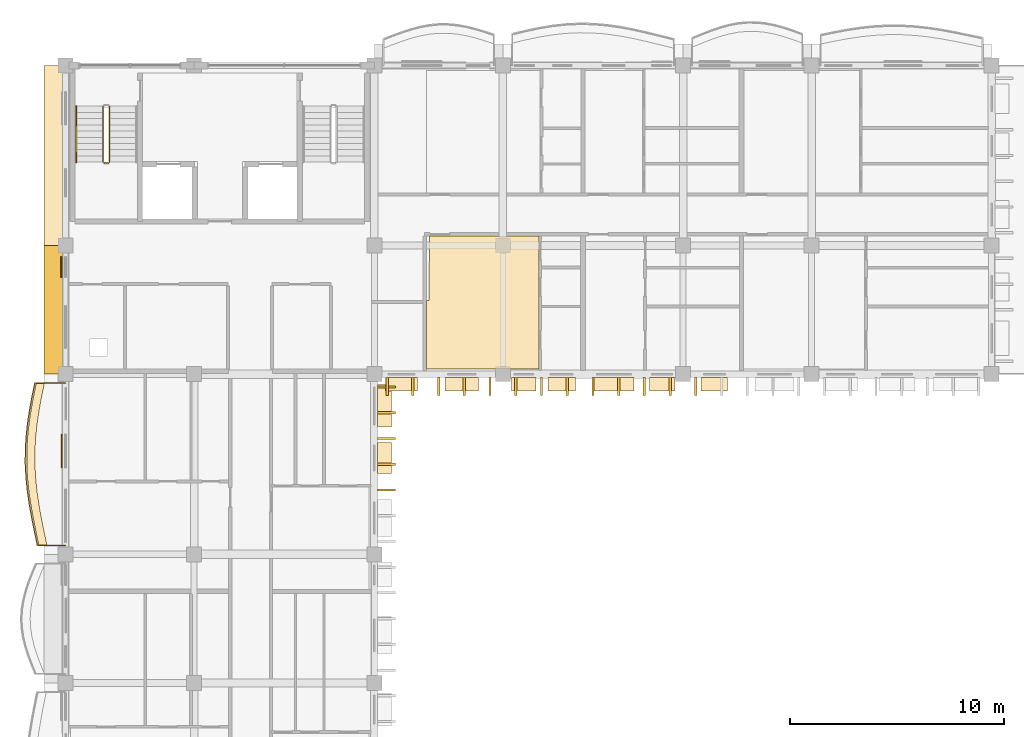
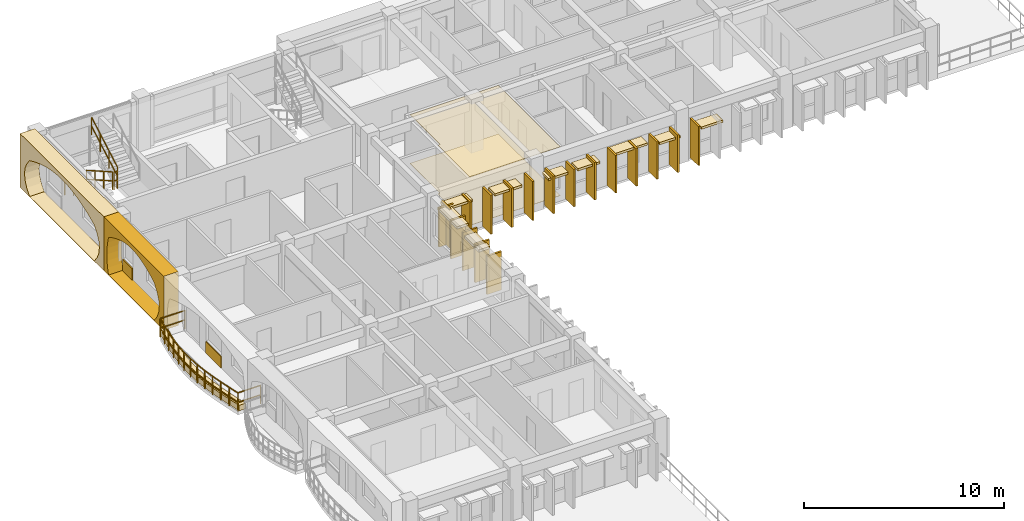
# One storey, part 48 of 66: 34 coverings, 5 railings.
"""IFC4 building model written with IfcOpenShell, lengths in metres."""

from ifc_helpers import new_model, si_unit, direction, frame, origin, origin_2d, place, context, subcontext, project, spatial, polyline, rectangle, outline, extrude, material, layer, layer_set, type_object, element, save


model = new_model("IFC4")

# Units and contexts
model_context = context("Model", 3, precision=1e-05, world=origin(), true_north=direction((0.0, 1.0)))
body_context = subcontext(model_context, "Body", "Model", "MODEL_VIEW")
ifc_project = project(units=[si_unit("LENGTHUNIT", "METRE"), si_unit("AREAUNIT", "SQUARE_METRE"), si_unit("VOLUMEUNIT", "CUBIC_METRE"), si_unit("PLANEANGLEUNIT", "RADIAN"), si_unit("MASSUNIT", "GRAM", prefix="KILO"), si_unit("THERMODYNAMICTEMPERATUREUNIT", "KELVIN")], contexts=[model_context])

# Site, building, storey
site_placement = place(None, origin())
site = spatial("IfcSite", under=ifc_project, at=site_placement, CompositionType="ELEMENT")
building_placement = place(site_placement, origin())
building = spatial("IfcBuilding", under=site, at=building_placement, Name="Thalorik Housing Commons", CompositionType="ELEMENT")
storey_placement = place(building_placement, frame((0.0, 0.0, 21.300048828125)))
storey = spatial("IfcBuildingStorey", under=building, at=storey_placement, Name="L06", CompositionType="ELEMENT", Elevation=21.300048828125)

# Coverings
ifc_material_1 = material(Name="Precast concrete C40/50", Category="concrete")
ifc_layer_1 = layer(ifc_material_1, 0.85009765625, Name="Precast concrete C40/50", Category="concrete")
ifc_layer_set_1 = layer_set([ifc_layer_1], Name="Precast concrete C40/50")
covering_type_1 = type_object("IfcCoveringType", Name="ARC-CLD-CUSH-850", PredefinedType="CLADDING", material=ifc_layer_set_1)
covering_1_placement = place(storey_placement, frame((7.830078125, 119.39990234375, 0.0), z_axis=(0.0, 0.0, 1.0), x_axis=(0.0, -1.0, 0.0)))
element("IfcCovering", 1, at=covering_1_placement, inside=storey, type_object=covering_type_1, Name="L06 White Precast Curved Cushion Bay Frame 677", PredefinedType="CLADDING", context=body_context, shape_type="SweptSolid", body=[
    extrude(outline(polyline([(-4.199951171875, 0.0), (4.199951171875, 0.0), (4.199951171875, 3.300048828125), (-4.199951171875, 3.300048828125), (-4.199951171875, 0.0)]), holes=[polyline([(3.239990234375, 0.02490234375), (3.523193359375, 0.390869140625), (3.693359375, 0.756591796875), (3.75, 1.12255859375), (3.693359375, 1.48828125), (3.523193359375, 1.854248046875), (3.239990234375, 2.219970703125), (2.699951171875, 2.469482421875), (2.159912109375, 2.66552734375), (1.6201171875, 2.824462890625), (1.080078125, 2.9423828125), (0.5400390625, 3.015380859375), (0.0, 3.0400390625), (-0.5400390625, 3.015380859375), (-1.080078125, 2.9423828125), (-1.6201171875, 2.824462890625), (-2.159912109375, 2.66552734375), (-2.699951171875, 2.469482421875), (-3.239990234375, 2.219970703125), (-3.523193359375, 1.854248046875), (-3.693359375, 1.48828125), (-3.75, 1.12255859375), (-3.693359375, 0.756591796875), (-3.523193359375, 0.390869140625), (-3.239990234375, 0.02490234375), (3.239990234375, 0.02490234375)])]), frame((0.0, 0.425048828125, 0.0), z_axis=(0.0, -1.0, 0.0), x_axis=(1.0, 0.0, 0.0)), (0.0, 0.0, 1.0), 0.85009765625),
])
covering_2_placement = place(storey_placement, frame((7.830078125, 112.199951171875, 0.0), z_axis=(0.0, 0.0, 1.0), x_axis=(0.0, -1.0, 0.0)))
element("IfcCovering", 2, at=covering_2_placement, inside=storey, type_object=covering_type_1, Name="L06 White Precast Curved Cushion Bay Frame 679", PredefinedType="CLADDING", context=body_context, shape_type="SweptSolid", body=[
    extrude(outline(polyline([(-3.0, 0.0), (3.0, 0.0), (3.0, 3.300048828125), (-3.0, 3.300048828125), (-3.0, 0.0)]), holes=[polyline([(2.0400390625, 0.02490234375), (2.3232421875, 0.407470703125), (2.493408203125, 0.7900390625), (2.550048828125, 1.172607421875), (2.493408203125, 1.554931640625), (2.3232421875, 1.9375), (2.0400390625, 2.320068359375), (1.6591796875, 2.539306640625), (1.2783203125, 2.711181640625), (0.8974609375, 2.8505859375), (0.5166015625, 2.954345703125), (0.1357421875, 3.018310546875), (-0.2451171875, 3.0400390625), (-0.625732421875, 3.018310546875), (-1.006591796875, 2.954345703125), (-1.387451171875, 2.8505859375), (-1.768310546875, 2.711181640625), (-2.149169921875, 2.539306640625), (-2.530029296875, 2.320068359375), (-2.629150390625, 1.9375), (-2.688720703125, 1.554931640625), (-2.70849609375, 1.172607421875), (-2.688720703125, 0.7900390625), (-2.629150390625, 0.407470703125), (-2.530029296875, 0.02490234375), (2.0400390625, 0.02490234375)])]), frame((0.0, 0.425048828125, 0.0), z_axis=(0.0, -1.0, 0.0), x_axis=(1.0, 0.0, 0.0)), (0.0, 0.0, 1.0), 0.85009765625),
])
ifc_layer_2 = layer(ifc_material_1, 0.85009765625, Name="Precast concrete C40/50", Category="concrete")
ifc_layer_set_2 = layer_set([ifc_layer_2], Name="Precast concrete C40/50")
covering_type_2 = type_object("IfcCoveringType", Name="ARC-CLD-FIN-850", PredefinedType="CLADDING", material=ifc_layer_set_2)
for number, where, z_axis, x_axis, name in (
    (3, (23.39990234375, 108.6298828125, 0.0400390625), (0.0, 0.0, 1.0), (1.0, 0.0, 0.0), "L06 Courtyard Precast Vertical Brise-Soleil Fin 619"),
    (4, (24.60009765625, 108.6298828125, 0.0400390625), (0.0, 0.0, 1.0), (1.0, 0.0, 0.0), "L06 Courtyard Precast Vertical Brise-Soleil Fin 620"),
    (5, (25.800048828125, 108.6298828125, 0.0400390625), (0.0, 0.0, 1.0), (1.0, 0.0, 0.0), "L06 Courtyard Precast Vertical Brise-Soleil Fin 621"),
    (6, (27.0, 108.6298828125, 0.0400390625), (0.0, 0.0, 1.0), (1.0, 0.0, 0.0), "L06 Courtyard Precast Vertical Brise-Soleil Fin 622"),
    (7, (28.199951171875, 108.6298828125, 0.0400390625), (0.0, 0.0, 1.0), (1.0, 0.0, 0.0), "L06 Courtyard Precast Vertical Brise-Soleil Fin 623"),
):
    element("IfcCovering", number, at=place(storey_placement, frame(where, z_axis=z_axis, x_axis=x_axis)), inside=storey, type_object=covering_type_2, Name=name, PredefinedType="CLADDING", context=body_context, shape_type="SweptSolid", body=[
        extrude(rectangle(XDim=0.110107421875, YDim=0.85009765625, at=origin_2d()), origin(), (0.0, 0.0, 1.0), 2.39501953125),
    ])
for number, where, z_axis, x_axis, name in (
    (8, (29.39990234375, 108.6298828125, 0.0400390625), (0.0, 0.0, 1.0), (1.0, 0.0, 0.0), "L06 Courtyard Precast Vertical Brise-Soleil Fin 626"),
    (9, (30.60009765625, 108.6298828125, 0.0400390625), (0.0, 0.0, 1.0), (1.0, 0.0, 0.0), "L06 Courtyard Precast Vertical Brise-Soleil Fin 627"),
    (10, (31.800048828125, 108.6298828125, 0.0400390625), (0.0, 0.0, 1.0), (1.0, 0.0, 0.0), "L06 Courtyard Precast Vertical Brise-Soleil Fin 628"),
    (11, (33.0, 108.6298828125, 0.0400390625), (0.0, 0.0, 1.0), (1.0, 0.0, 0.0), "L06 Courtyard Precast Vertical Brise-Soleil Fin 629"),
    (12, (34.199951171875, 108.6298828125, 0.0400390625), (0.0, 0.0, 1.0), (1.0, 0.0, 0.0), "L06 Courtyard Precast Vertical Brise-Soleil Fin 630"),
    (13, (35.39990234375, 108.6298828125, 0.0400390625), (0.0, 0.0, 1.0), (1.0, 0.0, 0.0), "L06 Courtyard Precast Vertical Brise-Soleil Fin 631"),
    (14, (36.60009765625, 108.6298828125, 0.0400390625), (0.0, 0.0, 1.0), (1.0, 0.0, 0.0), "L06 Courtyard Precast Vertical Brise-Soleil Fin 632"),
):
    element("IfcCovering", number, at=place(storey_placement, frame(where, z_axis=z_axis, x_axis=x_axis)), inside=storey, type_object=covering_type_2, Name=name, PredefinedType="CLADDING", context=body_context, shape_type="SweptSolid", body=[
        extrude(rectangle(XDim=0.110107421875, YDim=0.85009765625, at=origin_2d()), origin(), (0.0, 0.0, 1.0), 2.294921875),
    ])
covering_3_placement = place(storey_placement, frame((37.800048828125, 108.6298828125, 0.0400390625), z_axis=(0.0, 0.0, 1.0), x_axis=(1.0, 0.0, 0.0)))
element("IfcCovering", 15, at=covering_3_placement, inside=storey, type_object=covering_type_2, Name="L06 Courtyard Precast Vertical Brise-Soleil Fin 637", PredefinedType="CLADDING", context=body_context, shape_type="SweptSolid", body=[
    extrude(rectangle(XDim=0.110107421875, YDim=0.85009765625, at=origin_2d()), origin(), (0.0, 0.0, 1.0), 2.39501953125),
])
for number, where, z_axis, x_axis, name in (
    (16, (23.3701171875, 103.800048828125, 0.0400390625), (0.0, 0.0, 1.0), (0.0, 1.0, 0.0), "L06 Courtyard Precast Vertical Brise-Soleil Fin 720"),
    (17, (23.3701171875, 105.0, 0.0400390625), (0.0, 0.0, 1.0), (0.0, 1.0, 0.0), "L06 Courtyard Precast Vertical Brise-Soleil Fin 721"),
    (18, (23.3701171875, 106.199951171875, 0.0400390625), (0.0, 0.0, 1.0), (0.0, 1.0, 0.0), "L06 Courtyard Precast Vertical Brise-Soleil Fin 722"),
    (19, (23.3701171875, 107.39990234375, 0.0400390625), (0.0, 0.0, 1.0), (0.0, 1.0, 0.0), "L06 Courtyard Precast Vertical Brise-Soleil Fin 723"),
    (20, (23.3701171875, 108.60009765625, 0.0400390625), (0.0, 0.0, 1.0), (0.0, 1.0, 0.0), "L06 Courtyard Precast Vertical Brise-Soleil Fin 724"),
):
    element("IfcCovering", number, at=place(storey_placement, frame(where, z_axis=z_axis, x_axis=x_axis)), inside=storey, type_object=covering_type_2, Name=name, PredefinedType="CLADDING", context=body_context, shape_type="SweptSolid", body=[
        extrude(rectangle(XDim=0.110107421875, YDim=0.85009765625, at=origin_2d()), origin(), (0.0, 0.0, 1.0), 2.344970703125),
    ])
ifc_layer_3 = layer(ifc_material_1, 0.64990234375, Name="Precast concrete C40/50", Category="concrete")
ifc_layer_set_3 = layer_set([ifc_layer_3], Name="Precast concrete C40/50")
covering_type_3 = type_object("IfcCoveringType", Name="ARC-CLD-HOOD-650", PredefinedType="CLADDING", material=ifc_layer_set_3)
covering_4_placement = place(storey_placement, frame((24.070068359375, 108.72998046875, 2.240234375), z_axis=(0.0, 0.0, 1.0), x_axis=(1.0, 0.0, 0.0)))
element("IfcCovering", 21, at=covering_4_placement, inside=storey, type_object=covering_type_3, Name="L06 Courtyard Precast Window Sun-Hood 624", PredefinedType="CLADDING", context=body_context, shape_type="SweptSolid", body=[
    extrude(rectangle(XDim=1.489990234375, YDim=0.64990234375, at=origin_2d()), origin(), (0.0, 0.0, 1.0), 0.139892578125),
])
covering_5_placement = place(storey_placement, frame((26.8798828125, 108.72998046875, 2.14013671875), z_axis=(0.0, 0.0, 1.0), x_axis=(1.0, 0.0, 0.0)))
element("IfcCovering", 22, at=covering_5_placement, inside=storey, type_object=covering_type_3, Name="L06 Courtyard Precast Window Sun-Hood 625", PredefinedType="CLADDING", context=body_context, shape_type="SweptSolid", body=[
    extrude(rectangle(XDim=1.56005859375, YDim=0.64990234375, at=origin_2d()), origin(), (0.0, 0.0, 1.0), 0.139892578125),
])
covering_6_placement = place(storey_placement, frame((29.767578125, 108.72998046875, 1.990234375), z_axis=(0.0, 0.0, 1.0), x_axis=(1.0, 0.0, 0.0)))
element("IfcCovering", 23, at=covering_6_placement, inside=storey, type_object=covering_type_3, Name="L06 Courtyard Precast Window Sun-Hood 633", PredefinedType="CLADDING", context=body_context, shape_type="SweptSolid", body=[
    extrude(rectangle(XDim=1.139892578125, YDim=0.64990234375, at=origin_2d()), origin(), (0.0, 0.0, 1.0), 0.139892578125),
])
covering_7_placement = place(storey_placement, frame((31.54248046875, 108.72998046875, 1.990234375), z_axis=(0.0, 0.0, 1.0), x_axis=(1.0, 0.0, 0.0)))
element("IfcCovering", 24, at=covering_7_placement, inside=storey, type_object=covering_type_3, Name="L06 Courtyard Precast Window Sun-Hood 634", PredefinedType="CLADDING", context=body_context, shape_type="SweptSolid", body=[
    extrude(rectangle(XDim=1.2900390625, YDim=0.64990234375, at=origin_2d()), origin(), (0.0, 0.0, 1.0), 0.139892578125),
])
covering_8_placement = place(storey_placement, frame((33.987548828125, 108.72998046875, 2.169921875), z_axis=(0.0, 0.0, 1.0), x_axis=(1.0, 0.0, 0.0)))
element("IfcCovering", 25, at=covering_8_placement, inside=storey, type_object=covering_type_3, Name="L06 Courtyard Precast Window Sun-Hood 635", PredefinedType="CLADDING", context=body_context, shape_type="SweptSolid", body=[
    extrude(rectangle(XDim=1.860107421875, YDim=0.64990234375, at=origin_2d()), origin(), (0.0, 0.0, 1.0), 0.139892578125),
])
covering_9_placement = place(storey_placement, frame((36.222412109375, 108.72998046875, 1.93994140625), z_axis=(0.0, 0.0, 1.0), x_axis=(1.0, 0.0, 0.0)))
element("IfcCovering", 26, at=covering_9_placement, inside=storey, type_object=covering_type_3, Name="L06 Courtyard Precast Window Sun-Hood 636", PredefinedType="CLADDING", context=body_context, shape_type="SweptSolid", body=[
    extrude(rectangle(XDim=1.18994140625, YDim=0.64990234375, at=origin_2d()), origin(), (0.0, 0.0, 1.0), 0.139892578125),
])
covering_10_placement = place(storey_placement, frame((38.659912109375, 108.72998046875, 2.0400390625), z_axis=(0.0, 0.0, 1.0), x_axis=(1.0, 0.0, 0.0)))
element("IfcCovering", 27, at=covering_10_placement, inside=storey, type_object=covering_type_3, Name="L06 Courtyard Precast Window Sun-Hood 642", PredefinedType="CLADDING", context=body_context, shape_type="SweptSolid", body=[
    extrude(rectangle(XDim=1.239990234375, YDim=0.64990234375, at=origin_2d()), origin(), (0.0, 0.0, 1.0), 0.139892578125),
])
covering_11_placement = place(storey_placement, frame((23.27001953125, 105.287109375, 2.14013671875), z_axis=(0.0, 0.0, 1.0), x_axis=(0.0, 1.0, 0.0)))
element("IfcCovering", 28, at=covering_11_placement, inside=storey, type_object=covering_type_3, Name="L06 Courtyard Precast Window Sun-Hood 726", PredefinedType="CLADDING", context=body_context, shape_type="SweptSolid", body=[
    extrude(rectangle(XDim=1.43994140625, YDim=0.64990234375, at=origin_2d()), origin(), (0.0, 0.0, 1.0), 0.139892578125),
])
covering_12_placement = place(storey_placement, frame((23.27001953125, 107.722412109375, 2.240234375), z_axis=(0.0, 0.0, 1.0), x_axis=(0.0, 1.0, 0.0)))
element("IfcCovering", 29, at=covering_12_placement, inside=storey, type_object=covering_type_3, Name="L06 Courtyard Precast Window Sun-Hood 727", PredefinedType="CLADDING", context=body_context, shape_type="SweptSolid", body=[
    extrude(rectangle(XDim=1.989990234375, YDim=0.64990234375, at=origin_2d()), origin(), (0.0, 0.0, 1.0), 0.139892578125),
])
ifc_material_2 = material(Name="Terracotta red mineral fibre-cement panel", Category="masonry")
ifc_layer_4 = layer(ifc_material_2, 0.054931640625, Name="Terracotta red mineral fibre-cement panel", Category="masonry")
ifc_layer_set_4 = layer_set([ifc_layer_4], Name="Terracotta red mineral fibre-cement panel")
covering_type_4 = type_object("IfcCoveringType", Name="ARC-CLD-RED-55", PredefinedType="CLADDING", material=ifc_layer_set_4)
covering_13_placement = place(storey_placement, frame((8.222412109375, 105.617431640625, 0.0498046875), z_axis=(0.0, 0.0, 1.0), x_axis=(0.0, -1.0, 0.0)))
element("IfcCovering", 30, at=covering_13_placement, inside=storey, type_object=covering_type_4, Name="L06 De Stijl Recessed Window Spandrel 682", PredefinedType="CLADDING", context=body_context, shape_type="SweptSolid", body=[
    extrude(rectangle(XDim=1.550048828125, YDim=0.054931640625, at=origin_2d()), origin(), (0.0, 0.0, 1.0), 0.699951171875),
])
ifc_material_3 = material(Name="Mineral ochre architectural terracotta panel", Category="masonry")
ifc_layer_5 = layer(ifc_material_3, 0.06494140625, Name="Mineral ochre architectural terracotta panel", Category="masonry")
ifc_layer_set_5 = layer_set([ifc_layer_5], Name="Mineral ochre architectural terracotta panel")
covering_type_5 = type_object("IfcCoveringType", Name="ARC-CLD-YEL-65", PredefinedType="CLADDING", material=ifc_layer_set_5)
covering_14_placement = place(storey_placement, frame((8.217529296875, 114.205078125, 0.0498046875), z_axis=(0.0, 0.0, 1.0), x_axis=(0.0, -1.0, 0.0)))
element("IfcCovering", 31, at=covering_14_placement, inside=storey, type_object=covering_type_5, Name="L06 De Stijl Recessed Window Spandrel 680", PredefinedType="CLADDING", context=body_context, shape_type="SweptSolid", body=[
    extrude(rectangle(XDim=0.949951171875, YDim=0.06494140625, at=origin_2d()), origin(), (0.0, 0.0, 1.0), 0.699951171875),
])
ifc_material_4 = material(Name="Slatted timber acoustic hall baffle ceiling", Category="wood")
ifc_layer_6 = layer(ifc_material_4, 0.02197265625, Name="Slatted timber acoustic hall baffle ceiling", Category="wood")
ifc_layer_set_6 = layer_set([ifc_layer_6], Name="Slatted timber acoustic hall baffle ceiling")
covering_type_6 = type_object("IfcCoveringType", Name="ARC-COV-CEIL-03", PredefinedType="CEILING", material=ifc_layer_set_6)
covering_15_placement = place(storey_placement, frame((0.0, 0.0, 2.97802734375)))
element("IfcCovering", 32, at=covering_15_placement, inside=storey, type_object=covering_type_6, Name="L06 Sunlit Wintergarden Lounge Suspended Ceiling", PredefinedType="CEILING", context=body_context, shape_type="SweptSolid", body=[
    extrude(outline(polyline([(25.22998046875, 109.43994140625), (30.47509765625, 109.43994140625), (30.47509765625, 115.639892578125), (25.364990234375, 115.639892578125), (25.36328125, 112.642822265625), (25.349853515625, 112.635009765625), (25.22998046875, 112.635009765625), (25.22998046875, 109.43994140625)])), origin(), (0.0, 0.0, 1.0), 0.02197265625),
])
ifc_material_5 = material(Name="Cushioned natural linoleum nursery playroom flooring")
ifc_layer_7 = layer(ifc_material_5, 0.02001953125, Name="Cushioned natural linoleum nursery playroom flooring")
ifc_layer_set_7 = layer_set([ifc_layer_7], Name="Cushioned natural linoleum nursery playroom flooring")
covering_type_7 = type_object("IfcCoveringType", Name="ARC-COV-FLR-03", PredefinedType="FLOORING", material=ifc_layer_set_7)
covering_16_placement = place(storey_placement, origin())
element("IfcCovering", 33, at=covering_16_placement, inside=storey, type_object=covering_type_7, Name="L06 Sunlit Wintergarden Lounge Flooring", PredefinedType="FLOORING", context=body_context, shape_type="SweptSolid", body=[
    extrude(outline(polyline([(25.22998046875, 109.43994140625), (30.47509765625, 109.43994140625), (30.47509765625, 115.639892578125), (25.364990234375, 115.639892578125), (25.36328125, 112.642822265625), (25.349853515625, 112.635009765625), (25.22998046875, 112.635009765625), (25.22998046875, 109.43994140625)])), origin(), (0.0, 0.0, 1.0), 0.02001953125),
])
ifc_material_6 = material(Name="Planted vegetated substrate and terracotta trough", Category="masonry")
ifc_layer_8 = layer(ifc_material_6, 0.340087890625, Name="Planted vegetated substrate and terracotta trough", Category="masonry")
ifc_layer_set_8 = layer_set([ifc_layer_8], Name="Planted vegetated substrate and terracotta trough")
covering_type_8 = type_object("IfcCoveringType", Name="ARC-COV-PLANTER", PredefinedType="USERDEFINED", material=ifc_layer_set_8)
covering_17_placement = place(storey_placement, origin())
element("IfcCovering", 34, at=covering_17_placement, inside=storey, type_object=covering_type_8, Name="L06 Balcony Slab-Edge Planted Trough 5363", ObjectType="PLANTER", PredefinedType="USERDEFINED", context=body_context, shape_type="SweptSolid", body=[
    extrude(outline(polyline([(7.03369140625, 108.780029296875), (6.904296875, 108.14990234375), (6.788818359375, 107.52001953125), (6.694580078125, 106.889892578125), (6.627685546875, 106.260009765625), (6.593017578125, 105.6298828125), (6.592041015625, 105.0), (6.625244140625, 104.3701171875), (6.68994140625, 103.739990234375), (6.781982421875, 103.110107421875), (6.894775390625, 102.47998046875), (7.02099609375, 101.85009765625), (7.152099609375, 101.219970703125), (7.5322265625, 101.219970703125), (7.401123046875, 101.85009765625), (7.27490234375, 102.47998046875), (7.161865234375, 103.110107421875), (7.070068359375, 103.739990234375), (7.005126953125, 104.3701171875), (6.97216796875, 105.0), (6.972900390625, 105.6298828125), (7.0078125, 106.260009765625), (7.074462890625, 106.889892578125), (7.168701171875, 107.52001953125), (7.284423828125, 108.14990234375), (7.41357421875, 108.780029296875), (7.03369140625, 108.780029296875)])), origin(), (0.0, 0.0, 1.0), 0.33984375),
])

# Railings
ifc_material_7 = material(Name="Steel S355", Category="steel")
railing_type_1 = type_object("IfcRailingType", Name="ARC-RL-BAL-115", PredefinedType="BALUSTRADE", material=ifc_material_7)
railing_1_placement = place(storey_placement, frame((8.39990234375, 108.780029296875, 0.0)))
element("IfcRailing", 35, at=railing_1_placement, inside=storey, type_object=railing_type_1, Name="L06 Cushion Balcony Guardrail 47", PredefinedType="BALUSTRADE", context=body_context, shape_type="SweptSolid", body=[
    extrude(rectangle(XDim=0.050048828125, YDim=0.050048828125, at=origin_2d()), frame((0.0, 0.0, 1.125), z_axis=(-1.0, 0.0, 0.0), x_axis=(0.0, -1.0, 0.0)), (0.0, 0.0, 1.0), 1.436279296875),
    extrude(rectangle(XDim=0.050048828125, YDim=0.050048828125, at=origin_2d()), frame((0.0, 0.0, 0.5498046875), z_axis=(-1.0, 0.0, 0.0), x_axis=(0.0, -1.0, 0.0)), (0.0, 0.0, 1.0), 1.436279296875),
    extrude(rectangle(XDim=0.050048828125, YDim=0.050048828125, at=origin_2d()), frame((-1.436279296875, 0.0, 1.125), z_axis=(-0.200785373927, -0.979635255397, 0.0), x_axis=(0.979635255397, -0.200785373927, 0.0)), (0.0, 0.0, 1.0), 0.643310546875),
    extrude(rectangle(XDim=0.050048828125, YDim=0.050048828125, at=origin_2d()), frame((-1.436279296875, 0.0, 0.5498046875), z_axis=(-0.200785373927, -0.979635255397, 0.0), x_axis=(0.979635255397, -0.200785373927, 0.0)), (0.0, 0.0, 1.0), 0.643310546875),
    extrude(rectangle(XDim=0.050048828125, YDim=0.050048828125, at=origin_2d()), frame((-1.5654296875, -0.630126953125, 1.125), z_axis=(-0.180696676337, -0.9835388712, 0.0), x_axis=(0.9835388712, -0.180696676337, 0.0)), (0.0, 0.0, 1.0), 0.640380859375),
    extrude(rectangle(XDim=0.050048828125, YDim=0.050048828125, at=origin_2d()), frame((-1.5654296875, -0.630126953125, 0.5498046875), z_axis=(-0.180696676337, -0.9835388712, 0.0), x_axis=(0.9835388712, -0.180696676337, 0.0)), (0.0, 0.0, 1.0), 0.640380859375),
    extrude(rectangle(XDim=0.050048828125, YDim=0.050048828125, at=origin_2d()), frame((-1.68115234375, -1.260009765625, 1.125), z_axis=(-0.147909472647, -0.989000903893, 0.0), x_axis=(0.989000903893, -0.147909472647, 0.0)), (0.0, 0.0, 1.0), 0.63720703125),
    extrude(rectangle(XDim=0.050048828125, YDim=0.050048828125, at=origin_2d()), frame((-1.68115234375, -1.260009765625, 0.5498046875), z_axis=(-0.147909472647, -0.989000903893, 0.0), x_axis=(0.989000903893, -0.147909472647, 0.0)), (0.0, 0.0, 1.0), 0.63720703125),
    extrude(rectangle(XDim=0.050048828125, YDim=0.050048828125, at=origin_2d()), frame((-1.775390625, -1.89013671875, 1.125), z_axis=(-0.105226504112, -0.994448280622, 0.0), x_axis=(0.994448280622, -0.105226504112, 0.0)), (0.0, 0.0, 1.0), 0.63330078125),
    extrude(rectangle(XDim=0.050048828125, YDim=0.050048828125, at=origin_2d()), frame((-1.775390625, -1.89013671875, 0.5498046875), z_axis=(-0.105226504112, -0.994448280622, 0.0), x_axis=(0.994448280622, -0.105226504112, 0.0)), (0.0, 0.0, 1.0), 0.63330078125),
    extrude(rectangle(XDim=0.050048828125, YDim=0.050048828125, at=origin_2d()), frame((-1.842041015625, -2.52001953125, 1.125), z_axis=(-0.055320038902, -0.998468674169, 0.0), x_axis=(0.998468674169, -0.055320038902, 0.0)), (0.0, 0.0, 1.0), 0.631103515625),
    extrude(rectangle(XDim=0.050048828125, YDim=0.050048828125, at=origin_2d()), frame((-1.842041015625, -2.52001953125, 0.5498046875), z_axis=(-0.055320038902, -0.998468674169, 0.0), x_axis=(0.998468674169, -0.055320038902, 0.0)), (0.0, 0.0, 1.0), 0.631103515625),
    extrude(rectangle(XDim=0.050048828125, YDim=0.050048828125, at=origin_2d()), frame((-1.876953125, -3.150146484375, 1.125), z_axis=(-0.001162789912, -0.99999932396, 0.0), x_axis=(0.99999932396, -0.001162789912, 0.0)), (0.0, 0.0, 1.0), 0.6298828125),
    extrude(rectangle(XDim=0.050048828125, YDim=0.050048828125, at=origin_2d()), frame((-1.876953125, -3.150146484375, 0.5498046875), z_axis=(-0.001162789912, -0.99999932396, 0.0), x_axis=(0.99999932396, -0.001162789912, 0.0)), (0.0, 0.0, 1.0), 0.6298828125),
    extrude(rectangle(XDim=0.050048828125, YDim=0.050048828125, at=origin_2d()), frame((-1.877685546875, -3.780029296875, 1.125), z_axis=(0.052254095313, -0.99863382154, 0.0), x_axis=(0.99863382154, 0.052254095313, 0.0)), (0.0, 0.0, 1.0), 0.630859375),
    extrude(rectangle(XDim=0.050048828125, YDim=0.050048828125, at=origin_2d()), frame((-1.877685546875, -3.780029296875, 0.5498046875), z_axis=(0.052254095313, -0.99863382154, 0.0), x_axis=(0.99863382154, 0.052254095313, 0.0)), (0.0, 0.0, 1.0), 0.630859375),
    extrude(rectangle(XDim=0.050048828125, YDim=0.050048828125, at=origin_2d()), frame((-1.8447265625, -4.409912109375, 1.125), z_axis=(0.102517818952, -0.994731168104, 0.0), x_axis=(0.994731168104, 0.102517818952, 0.0)), (0.0, 0.0, 1.0), 0.633544921875),
    extrude(rectangle(XDim=0.050048828125, YDim=0.050048828125, at=origin_2d()), frame((-1.8447265625, -4.409912109375, 0.5498046875), z_axis=(0.102517818952, -0.994731168104, 0.0), x_axis=(0.994731168104, 0.102517818952, 0.0)), (0.0, 0.0, 1.0), 0.633544921875),
    extrude(rectangle(XDim=0.050048828125, YDim=0.050048828125, at=origin_2d()), frame((-1.77978515625, -5.0400390625, 1.125), z_axis=(0.144213002899, -0.989546668831, 0.0), x_axis=(0.989546668831, 0.144213002899, 0.0)), (0.0, 0.0, 1.0), 0.636474609375),
    extrude(rectangle(XDim=0.050048828125, YDim=0.050048828125, at=origin_2d()), frame((-1.77978515625, -5.0400390625, 0.5498046875), z_axis=(0.144213002899, -0.989546668831, 0.0), x_axis=(0.989546668831, 0.144213002899, 0.0)), (0.0, 0.0, 1.0), 0.636474609375),
    extrude(rectangle(XDim=0.050048828125, YDim=0.050048828125, at=origin_2d()), frame((-1.68798828125, -5.669921875, 1.125), z_axis=(0.17619982242, -0.98435441919, 0.0), x_axis=(0.98435441919, 0.17619982242, 0.0)), (0.0, 0.0, 1.0), 0.64013671875),
    extrude(rectangle(XDim=0.050048828125, YDim=0.050048828125, at=origin_2d()), frame((-1.68798828125, -5.669921875, 0.5498046875), z_axis=(0.17619982242, -0.98435441919, 0.0), x_axis=(0.98435441919, 0.17619982242, 0.0)), (0.0, 0.0, 1.0), 0.64013671875),
    extrude(rectangle(XDim=0.050048828125, YDim=0.050048828125, at=origin_2d()), frame((-1.5751953125, -6.300048828125, 1.125), z_axis=(0.19684687543, -0.980434244421, 0.0), x_axis=(0.980434244421, 0.19684687543, 0.0)), (0.0, 0.0, 1.0), 0.642333984375),
    extrude(rectangle(XDim=0.050048828125, YDim=0.050048828125, at=origin_2d()), frame((-1.5751953125, -6.300048828125, 0.5498046875), z_axis=(0.19684687543, -0.980434244421, 0.0), x_axis=(0.980434244421, 0.19684687543, 0.0)), (0.0, 0.0, 1.0), 0.642333984375),
    extrude(rectangle(XDim=0.050048828125, YDim=0.050048828125, at=origin_2d()), frame((-1.44873046875, -6.929931640625, 1.125), z_axis=(0.20369673624, -0.979034033957, 0.0), x_axis=(0.979034033957, 0.20369673624, 0.0)), (0.0, 0.0, 1.0), 0.6435546875),
    extrude(rectangle(XDim=0.050048828125, YDim=0.050048828125, at=origin_2d()), frame((-1.44873046875, -6.929931640625, 0.5498046875), z_axis=(0.20369673624, -0.979034033957, 0.0), x_axis=(0.979034033957, 0.20369673624, 0.0)), (0.0, 0.0, 1.0), 0.6435546875),
    extrude(rectangle(XDim=0.050048828125, YDim=0.050048828125, at=origin_2d()), frame((-1.317626953125, -7.56005859375, 1.125), z_axis=(1.0, 0.0, 0.0), x_axis=(0.0, 1.0, 0.0)), (0.0, 0.0, 1.0), 1.317626953125),
    extrude(rectangle(XDim=0.050048828125, YDim=0.050048828125, at=origin_2d()), frame((-1.317626953125, -7.56005859375, 0.5498046875), z_axis=(1.0, 0.0, 0.0), x_axis=(0.0, 1.0, 0.0)), (0.0, 0.0, 1.0), 1.317626953125),
    extrude(rectangle(XDim=0.0419921875, YDim=0.0419921875, at=origin_2d()), origin(), (0.0, 0.0, 1.0), 1.099853515625),
    extrude(rectangle(XDim=0.0419921875, YDim=0.0419921875, at=origin_2d()), frame((-1.436279296875, 0.0, 0.0)), (0.0, 0.0, 1.0), 1.099853515625),
    extrude(rectangle(XDim=0.0419921875, YDim=0.0419921875, at=origin_2d()), frame((-1.5654296875, -0.630126953125, 0.0)), (0.0, 0.0, 1.0), 1.099853515625),
    extrude(rectangle(XDim=0.0419921875, YDim=0.0419921875, at=origin_2d()), frame((-1.68115234375, -1.260009765625, 0.0)), (0.0, 0.0, 1.0), 1.099853515625),
    extrude(rectangle(XDim=0.0419921875, YDim=0.0419921875, at=origin_2d()), frame((-1.775390625, -1.89013671875, 0.0)), (0.0, 0.0, 1.0), 1.099853515625),
    extrude(rectangle(XDim=0.0419921875, YDim=0.0419921875, at=origin_2d()), frame((-1.842041015625, -2.52001953125, 0.0)), (0.0, 0.0, 1.0), 1.099853515625),
    extrude(rectangle(XDim=0.0419921875, YDim=0.0419921875, at=origin_2d()), frame((-1.876953125, -3.150146484375, 0.0)), (0.0, 0.0, 1.0), 1.099853515625),
    extrude(rectangle(XDim=0.0419921875, YDim=0.0419921875, at=origin_2d()), frame((-1.877685546875, -3.780029296875, 0.0)), (0.0, 0.0, 1.0), 1.099853515625),
    extrude(rectangle(XDim=0.0419921875, YDim=0.0419921875, at=origin_2d()), frame((-1.8447265625, -4.409912109375, 0.0)), (0.0, 0.0, 1.0), 1.099853515625),
    extrude(rectangle(XDim=0.0419921875, YDim=0.0419921875, at=origin_2d()), frame((-1.77978515625, -5.0400390625, 0.0)), (0.0, 0.0, 1.0), 1.099853515625),
    extrude(rectangle(XDim=0.0419921875, YDim=0.0419921875, at=origin_2d()), frame((-1.68798828125, -5.669921875, 0.0)), (0.0, 0.0, 1.0), 1.099853515625),
    extrude(rectangle(XDim=0.0419921875, YDim=0.0419921875, at=origin_2d()), frame((-1.5751953125, -6.300048828125, 0.0)), (0.0, 0.0, 1.0), 1.099853515625),
    extrude(rectangle(XDim=0.0419921875, YDim=0.0419921875, at=origin_2d()), frame((-1.44873046875, -6.929931640625, 0.0)), (0.0, 0.0, 1.0), 1.099853515625),
    extrude(rectangle(XDim=0.0419921875, YDim=0.0419921875, at=origin_2d()), frame((-1.317626953125, -7.56005859375, 0.0)), (0.0, 0.0, 1.0), 1.099853515625),
    extrude(rectangle(XDim=0.0419921875, YDim=0.0419921875, at=origin_2d()), frame((0.0, -7.56005859375, 0.0)), (0.0, 0.0, 1.0), 1.099853515625),
])
railing_type_2 = type_object("IfcRailingType", Name="ARC-RL-STR-GRD110", PredefinedType="GUARDRAIL", material=ifc_material_7)
railing_2_placement = place(storey_placement, frame((10.14990234375, 121.699951171875, 0.1650390625)))
element("IfcRailing", 36, at=railing_2_placement, inside=storey, type_object=railing_type_2, Name="L06 ST-A1 stair guard 1", PredefinedType="GUARDRAIL", context=body_context, shape_type="SweptSolid", body=[
    extrude(rectangle(XDim=0.048095703125, YDim=0.048095703125, at=origin_2d()), frame((0.0, 0.0, 1.076171875), z_axis=(0.0, -0.869172267526, 0.494509422927), x_axis=(1.0, 0.0, 0.0)), (0.0, 0.0, 1.0), 3.002685546875),
    extrude(rectangle(XDim=0.048095703125, YDim=0.048095703125, at=origin_2d()), frame((0.0, 0.0, 0.52587890625), z_axis=(0.0, -0.869172267526, 0.494509422927), x_axis=(1.0, 0.0, 0.0)), (0.0, 0.0, 1.0), 3.002685546875),
    extrude(rectangle(XDim=0.0419921875, YDim=0.0419921875, at=origin_2d()), origin(), (0.0, 0.0, 1.0), 1.052001953125),
    extrude(rectangle(XDim=0.0419921875, YDim=0.0419921875, at=origin_2d()), frame((0.0, -0.869873046875, 0.494873046875)), (0.0, 0.0, 1.0), 1.052001953125),
    extrude(rectangle(XDim=0.0419921875, YDim=0.0419921875, at=origin_2d()), frame((0.0, -1.739990234375, 0.989990234375)), (0.0, 0.0, 1.0), 1.052001953125),
    extrude(rectangle(XDim=0.0419921875, YDim=0.0419921875, at=origin_2d()), frame((0.0, -2.60986328125, 1.48486328125)), (0.0, 0.0, 1.0), 1.052001953125),
])
railing_3_placement = place(storey_placement, frame((10.199951171875, 119.0400390625, 1.64990234375)))
element("IfcRailing", 37, at=railing_3_placement, inside=storey, type_object=railing_type_2, Name="L06 ST-A1 stair guard 2", PredefinedType="GUARDRAIL", context=body_context, shape_type="SweptSolid", body=[
    extrude(rectangle(XDim=0.048095703125, YDim=0.048095703125, at=origin_2d()), frame((0.0, 0.0, 1.076171875), z_axis=(1.0, 0.0, 0.0), x_axis=(0.0, 1.0, 0.0)), (0.0, 0.0, 1.0), 0.199951171875),
    extrude(rectangle(XDim=0.048095703125, YDim=0.048095703125, at=origin_2d()), frame((0.0, 0.0, 0.52587890625), z_axis=(1.0, 0.0, 0.0), x_axis=(0.0, 1.0, 0.0)), (0.0, 0.0, 1.0), 0.199951171875),
    extrude(rectangle(XDim=0.0419921875, YDim=0.0419921875, at=origin_2d()), origin(), (0.0, 0.0, 1.0), 1.052001953125),
    extrude(rectangle(XDim=0.0419921875, YDim=0.0419921875, at=origin_2d()), frame((0.199951171875, 0.0, 0.0)), (0.0, 0.0, 1.0), 1.052001953125),
])
railing_4_placement = place(storey_placement, frame((10.449951171875, 119.090087890625, 1.81494140625)))
element("IfcRailing", 38, at=railing_4_placement, inside=storey, type_object=railing_type_2, Name="L06 ST-A1 stair guard 3", PredefinedType="GUARDRAIL", context=body_context, shape_type="SweptSolid", body=[
    extrude(rectangle(XDim=0.048095703125, YDim=0.048095703125, at=origin_2d()), frame((0.0, 0.0, 1.076171875), z_axis=(0.0, 0.869137319866, 0.494570843475), x_axis=(-1.0, 0.0, 0.0)), (0.0, 0.0, 1.0), 3.0029296875),
    extrude(rectangle(XDim=0.048095703125, YDim=0.048095703125, at=origin_2d()), frame((0.0, 0.0, 0.52587890625), z_axis=(0.0, 0.869137319866, 0.494570843475), x_axis=(-1.0, 0.0, 0.0)), (0.0, 0.0, 1.0), 3.0029296875),
    extrude(rectangle(XDim=0.0419921875, YDim=0.0419921875, at=origin_2d()), origin(), (0.0, 0.0, 1.0), 1.052001953125),
    extrude(rectangle(XDim=0.0419921875, YDim=0.0419921875, at=origin_2d()), frame((0.0, 0.869873046875, 0.4951171875)), (0.0, 0.0, 1.0), 1.052001953125),
    extrude(rectangle(XDim=0.0419921875, YDim=0.0419921875, at=origin_2d()), frame((0.0, 1.739990234375, 0.989990234375)), (0.0, 0.0, 1.0), 1.052001953125),
    extrude(rectangle(XDim=0.0419921875, YDim=0.0419921875, at=origin_2d()), frame((0.0, 2.60986328125, 1.485107421875)), (0.0, 0.0, 1.0), 1.052001953125),
])
railing_type_3 = type_object("IfcRailingType", Name="ARC-RL-STR-HR092", PredefinedType="HANDRAIL", material=ifc_material_7)
railing_5_placement = place(storey_placement, frame((8.89990234375, 121.699951171875, 0.1650390625)))
element("IfcRailing", 39, at=railing_5_placement, inside=storey, type_object=railing_type_3, Name="L06 ST-A1 stair handrail 1", PredefinedType="HANDRAIL", context=body_context, shape_type="SweptSolid", body=[
    extrude(rectangle(XDim=0.048095703125, YDim=0.048095703125, at=origin_2d()), frame((0.0, 0.0, 0.89599609375), z_axis=(0.0, -0.869172267526, 0.494509422927), x_axis=(1.0, 0.0, 0.0)), (0.0, 0.0, 1.0), 3.002685546875),
    extrude(rectangle(XDim=0.0419921875, YDim=0.0419921875, at=origin_2d()), origin(), (0.0, 0.0, 1.0), 0.871826171875),
    extrude(rectangle(XDim=0.0419921875, YDim=0.0419921875, at=origin_2d()), frame((0.0, -0.869873046875, 0.494873046875)), (0.0, 0.0, 1.0), 0.871826171875),
    extrude(rectangle(XDim=0.0419921875, YDim=0.0419921875, at=origin_2d()), frame((0.0, -1.739990234375, 0.989990234375)), (0.0, 0.0, 1.0), 0.871826171875),
    extrude(rectangle(XDim=0.0419921875, YDim=0.0419921875, at=origin_2d()), frame((0.0, -2.60986328125, 1.48486328125)), (0.0, 0.0, 1.0), 0.871826171875),
])

save(model, "model.ifc")
